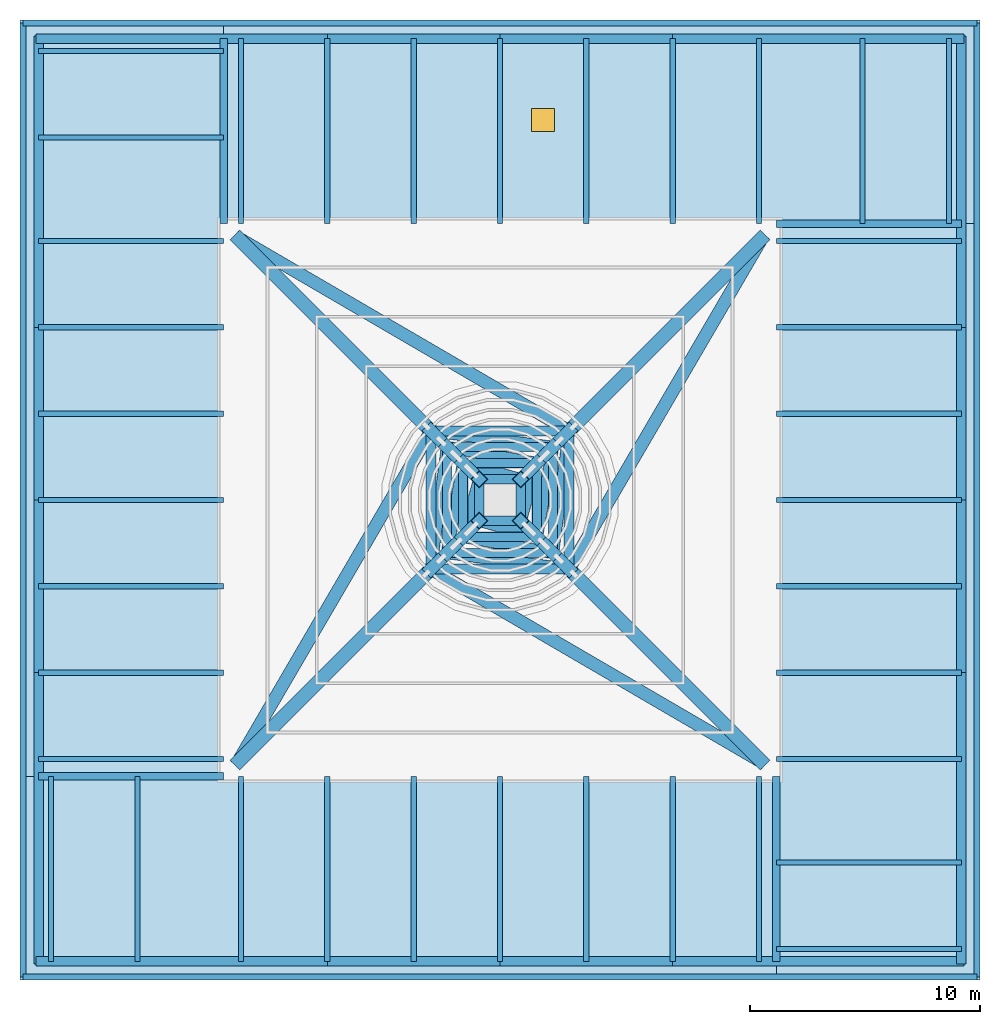
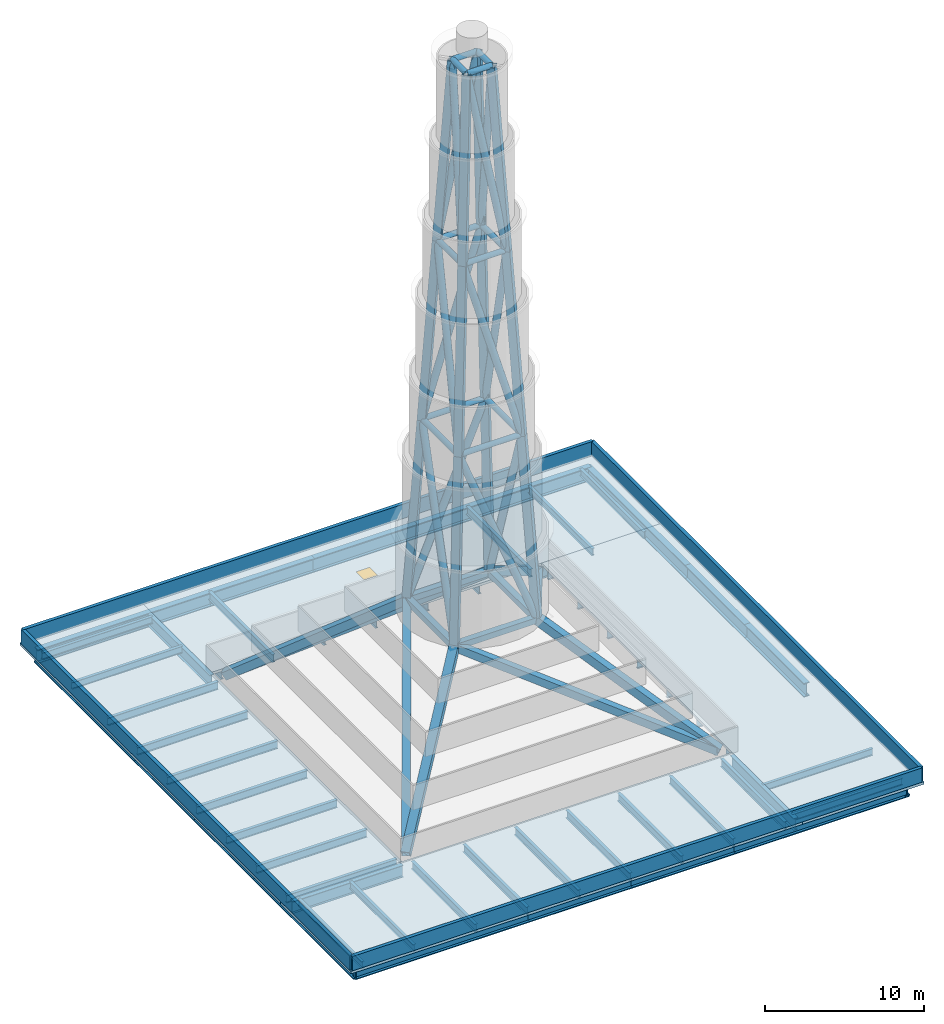
"""IFC4 building model written with IfcOpenShell, lengths in metres."""

from ifc_helpers import new_model, si_unit, direction, frame, frame_2d, origin, origin_2d, place, context, subcontext, project, spatial, polyline, rectangle, hollow_rectangle, hollow_circle, i_section, outline, extrude, material, layer, layer_set, material_profile, profile_set, type_object, element, fill, save


model = new_model("IFC4")

# Units and contexts
model_context = context("Model", 3, precision=1e-05, world=origin(), true_north=direction((0.0, 1.0)))
body_context = subcontext(model_context, "Body", "Model", "MODEL_VIEW")
ifc_project = project(units=[si_unit("LENGTHUNIT", "METRE"), si_unit("AREAUNIT", "SQUARE_METRE"), si_unit("VOLUMEUNIT", "CUBIC_METRE"), si_unit("PLANEANGLEUNIT", "RADIAN"), si_unit("MASSUNIT", "GRAM", prefix="KILO")], contexts=[model_context])

# Site, building, storey
site_placement = place(None, origin())
site = spatial("IfcSite", under=ifc_project, at=site_placement, CompositionType="ELEMENT")
building_placement = place(site_placement, origin())
building = spatial("IfcBuilding", under=site, at=building_placement, Name="Tarangal Relay Tower", CompositionType="ELEMENT")
storey_1_placement = place(building_placement, frame((0.0, 0.0, 346.89990234375)))
storey_1 = spatial("IfcBuildingStorey", under=building, at=storey_1_placement, Name="ROOF", CompositionType="ELEMENT", Elevation=346.89990234375)

# Beams
ifc_material_1 = material(Name="Steel ASTM A992", Category="steel")
ifc_material_profile_1 = material_profile(ifc_material_1, i_section(OverallWidth=0.209228515625, OverallDepth=0.533447265625, WebThickness=0.01025390625, FlangeThickness=0.015625, at=origin_2d()), Name="W21X62")
ifc_profile_set_1 = profile_set([ifc_material_profile_1], Name="Steel ASTM A992")
beam_type_1 = type_object("IfcBeamType", Name="Corner beam W21X62", PredefinedType="JOIST", material=ifc_profile_set_1)
for number, where, z_axis, x_axis, name in (
    (1, (15.75, 12.0, -0.466552734375), (0.0, 1.0, 0.0), (-1.0, 0.0, 0.0), "Corner beam CB12 N R"),
    (2, (19.5, 12.0, -0.466552734375), (0.0, 1.0, 0.0), (-1.0, 0.0, 0.0), "Corner beam CB12 N R"),
    (3, (12.0, -15.75, -0.466552734375), (1.0, 0.0, 0.0), (0.0, 1.0, 0.0), "Corner beam CB12 E R"),
    (4, (12.0, -19.5, -0.466552734375), (1.0, 0.0, 0.0), (0.0, 1.0, 0.0), "Corner beam CB12 E R"),
    (5, (-15.75, -12.0, -0.466552734375), (0.0, -1.0, 0.0), (1.0, 0.0, 0.0), "Corner beam CB12 S R"),
    (6, (-19.5, -12.0, -0.466552734375), (0.0, -1.0, 0.0), (1.0, 0.0, 0.0), "Corner beam CB12 S R"),
    (7, (-12.0, 15.75, -0.466552734375), (-1.0, 0.0, 0.0), (0.0, -1.0, 0.0), "Corner beam CB12 W R"),
    (8, (-12.0, 19.5, -0.466552734375), (-1.0, 0.0, 0.0), (0.0, -1.0, 0.0), "Corner beam CB12 W R"),
):
    element("IfcBeam", number, at=place(storey_1_placement, frame(where, z_axis=z_axis, x_axis=x_axis)), inside=storey_1, type_object=beam_type_1, Name=name, PredefinedType="JOIST", context=body_context, shape_type="SweptSolid", body=[
        extrude(i_section(OverallWidth=0.209228515625, OverallDepth=0.533447265625, WebThickness=0.01025390625, FlangeThickness=0.015625, at=origin_2d()), origin(), (0.0, 0.0, 1.0), 8.0400390625),
    ])
ifc_material_profile_2 = material_profile(ifc_material_1, i_section(OverallWidth=0.307373046875, OverallDepth=0.927001953125, WebThickness=0.019287109375, FlangeThickness=0.031982421875, at=origin_2d()), Name="W36X194")
ifc_profile_set_2 = profile_set([ifc_material_profile_2], Name="Steel ASTM A992")
beam_type_2 = type_object("IfcBeamType", Name="Corner girder W36X194", PredefinedType="BEAM", material=ifc_profile_set_2)
for number, where, z_axis, x_axis, name in (
    (9, (12.0, 12.0, -0.66357421875), (1.0, 0.0, 0.0), (0.0, 1.0, 0.0), "Corner girder CG6 N R"),
    (10, (12.0, -12.0, -0.66357421875), (0.0, -1.0, 0.0), (1.0, 0.0, 0.0), "Corner girder CG6 E R"),
    (11, (-12.0, -12.0, -0.66357421875), (-1.0, 0.0, 0.0), (0.0, -1.0, 0.0), "Corner girder CG6 S R"),
    (12, (-12.0, 12.0, -0.66357421875), (0.0, 1.0, 0.0), (-1.0, 0.0, 0.0), "Corner girder CG6 W R"),
):
    element("IfcBeam", number, at=place(storey_1_placement, frame(where, z_axis=z_axis, x_axis=x_axis)), inside=storey_1, type_object=beam_type_2, Name=name, PredefinedType="BEAM", context=body_context, shape_type="SweptSolid", body=[
        extrude(i_section(OverallWidth=0.307373046875, OverallDepth=0.927001953125, WebThickness=0.019287109375, FlangeThickness=0.031982421875, at=origin_2d()), origin(), (0.0, 0.0, 1.0), 8.0400390625),
    ])
ifc_material_profile_3 = material_profile(ifc_material_1, i_section(OverallWidth=0.41650390625, OverallDepth=1.0693359375, WebThickness=0.0390625, FlangeThickness=0.070068359375, at=origin_2d()), Name="W40X503")
ifc_profile_set_3 = profile_set([ifc_material_profile_3], Name="Steel ASTM A992")
beam_type_3 = type_object("IfcBeamType", Name="Edge girder W40X503", PredefinedType="SPANDREL", material=ifc_profile_set_3)
beam_1_placement = place(storey_1_placement, frame((-20.14990234375, 20.0400390625, -0.734619140625), z_axis=(1.0, 0.0, 0.0), x_axis=(0.0, 1.0, 0.0)))
element("IfcBeam", 13, at=beam_1_placement, inside=storey_1, type_object=beam_type_3, Name="Edge girder EG8 N R", PredefinedType="SPANDREL", context=body_context, shape_type="SweptSolid", body=[
    extrude(i_section(OverallWidth=0.41650390625, OverallDepth=1.0693359375, WebThickness=0.0390625, FlangeThickness=0.070068359375, at=origin_2d()), origin(), (0.0, 0.0, 1.0), 12.64990234375),
])
for number, where, z_axis, x_axis, name in (
    (14, (-7.5, 20.0400390625, -0.734619140625), (1.0, 0.0, 0.0), (0.0, 1.0, 0.0), "Edge girder EG8 N R"),
    (15, (0.0, 20.0400390625, -0.734619140625), (1.0, 0.0, 0.0), (0.0, 1.0, 0.0), "Edge girder EG8 N R"),
):
    element("IfcBeam", number, at=place(storey_1_placement, frame(where, z_axis=z_axis, x_axis=x_axis)), inside=storey_1, type_object=beam_type_3, Name=name, PredefinedType="SPANDREL", context=body_context, shape_type="SweptSolid", body=[
        extrude(i_section(OverallWidth=0.41650390625, OverallDepth=1.0693359375, WebThickness=0.0390625, FlangeThickness=0.070068359375, at=origin_2d()), origin(), (0.0, 0.0, 1.0), 7.5),
    ])
for number, where, z_axis, x_axis, name in (
    (16, (7.5, 20.0400390625, -0.734619140625), (1.0, 0.0, 0.0), (0.0, 1.0, 0.0), "Edge girder EG8 N R"),
    (17, (20.0400390625, 20.14990234375, -0.734619140625), (0.0, -1.0, 0.0), (1.0, 0.0, 0.0), "Edge girder EG8 E R"),
):
    element("IfcBeam", number, at=place(storey_1_placement, frame(where, z_axis=z_axis, x_axis=x_axis)), inside=storey_1, type_object=beam_type_3, Name=name, PredefinedType="SPANDREL", context=body_context, shape_type="SweptSolid", body=[
        extrude(i_section(OverallWidth=0.41650390625, OverallDepth=1.0693359375, WebThickness=0.0390625, FlangeThickness=0.070068359375, at=origin_2d()), origin(), (0.0, 0.0, 1.0), 12.64990234375),
    ])
for number, where, z_axis, x_axis, name in (
    (18, (20.0400390625, 7.5, -0.734619140625), (0.0, -1.0, 0.0), (1.0, 0.0, 0.0), "Edge girder EG8 E R"),
    (19, (20.0400390625, 0.0, -0.734619140625), (0.0, -1.0, 0.0), (1.0, 0.0, 0.0), "Edge girder EG8 E R"),
):
    element("IfcBeam", number, at=place(storey_1_placement, frame(where, z_axis=z_axis, x_axis=x_axis)), inside=storey_1, type_object=beam_type_3, Name=name, PredefinedType="SPANDREL", context=body_context, shape_type="SweptSolid", body=[
        extrude(i_section(OverallWidth=0.41650390625, OverallDepth=1.0693359375, WebThickness=0.0390625, FlangeThickness=0.070068359375, at=origin_2d()), origin(), (0.0, 0.0, 1.0), 7.5),
    ])
for number, where, z_axis, x_axis, name in (
    (20, (20.0400390625, -7.5, -0.734619140625), (0.0, -1.0, 0.0), (1.0, 0.0, 0.0), "Edge girder EG8 E R"),
    (21, (20.14990234375, -20.0400390625, -0.734619140625), (-1.0, 0.0, 0.0), (0.0, -1.0, 0.0), "Edge girder EG8 S R"),
):
    element("IfcBeam", number, at=place(storey_1_placement, frame(where, z_axis=z_axis, x_axis=x_axis)), inside=storey_1, type_object=beam_type_3, Name=name, PredefinedType="SPANDREL", context=body_context, shape_type="SweptSolid", body=[
        extrude(i_section(OverallWidth=0.41650390625, OverallDepth=1.0693359375, WebThickness=0.0390625, FlangeThickness=0.070068359375, at=origin_2d()), origin(), (0.0, 0.0, 1.0), 12.64990234375),
    ])
for number, where, z_axis, x_axis, name in (
    (22, (7.5, -20.0400390625, -0.734619140625), (-1.0, 0.0, 0.0), (0.0, -1.0, 0.0), "Edge girder EG8 S R"),
    (23, (0.0, -20.0400390625, -0.734619140625), (-1.0, 0.0, 0.0), (0.0, -1.0, 0.0), "Edge girder EG8 S R"),
):
    element("IfcBeam", number, at=place(storey_1_placement, frame(where, z_axis=z_axis, x_axis=x_axis)), inside=storey_1, type_object=beam_type_3, Name=name, PredefinedType="SPANDREL", context=body_context, shape_type="SweptSolid", body=[
        extrude(i_section(OverallWidth=0.41650390625, OverallDepth=1.0693359375, WebThickness=0.0390625, FlangeThickness=0.070068359375, at=origin_2d()), origin(), (0.0, 0.0, 1.0), 7.5),
    ])
for number, where, z_axis, x_axis, name in (
    (24, (-7.5, -20.0400390625, -0.734619140625), (-1.0, 0.0, 0.0), (0.0, -1.0, 0.0), "Edge girder EG8 S R"),
    (25, (-20.0400390625, -20.14990234375, -0.734619140625), (0.0, 1.0, 0.0), (-1.0, 0.0, 0.0), "Edge girder EG8 W R"),
):
    element("IfcBeam", number, at=place(storey_1_placement, frame(where, z_axis=z_axis, x_axis=x_axis)), inside=storey_1, type_object=beam_type_3, Name=name, PredefinedType="SPANDREL", context=body_context, shape_type="SweptSolid", body=[
        extrude(i_section(OverallWidth=0.41650390625, OverallDepth=1.0693359375, WebThickness=0.0390625, FlangeThickness=0.070068359375, at=origin_2d()), origin(), (0.0, 0.0, 1.0), 12.64990234375),
    ])
for number, where, z_axis, x_axis, name in (
    (26, (-20.0400390625, -7.5, -0.734619140625), (0.0, 1.0, 0.0), (-1.0, 0.0, 0.0), "Edge girder EG8 W R"),
    (27, (-20.0400390625, 0.0, -0.734619140625), (0.0, 1.0, 0.0), (-1.0, 0.0, 0.0), "Edge girder EG8 W R"),
):
    element("IfcBeam", number, at=place(storey_1_placement, frame(where, z_axis=z_axis, x_axis=x_axis)), inside=storey_1, type_object=beam_type_3, Name=name, PredefinedType="SPANDREL", context=body_context, shape_type="SweptSolid", body=[
        extrude(i_section(OverallWidth=0.41650390625, OverallDepth=1.0693359375, WebThickness=0.0390625, FlangeThickness=0.070068359375, at=origin_2d()), origin(), (0.0, 0.0, 1.0), 7.5),
    ])
beam_2_placement = place(storey_1_placement, frame((-20.0400390625, 7.5, -0.734619140625), z_axis=(0.0, 1.0, 0.0), x_axis=(-1.0, 0.0, 0.0)))
element("IfcBeam", 28, at=beam_2_placement, inside=storey_1, type_object=beam_type_3, Name="Edge girder EG8 W R", PredefinedType="SPANDREL", context=body_context, shape_type="SweptSolid", body=[
    extrude(i_section(OverallWidth=0.41650390625, OverallDepth=1.0693359375, WebThickness=0.0390625, FlangeThickness=0.070068359375, at=origin_2d()), origin(), (0.0, 0.0, 1.0), 12.64990234375),
])
ifc_material_profile_4 = material_profile(ifc_material_1, i_section(OverallWidth=0.228271484375, OverallDepth=0.607177734375, WebThickness=0.01123046875, FlangeThickness=0.017333984375, at=origin_2d()), Name="W24X76")
ifc_profile_set_4 = profile_set([ifc_material_profile_4], Name="Steel ASTM A992")
beam_type_4 = type_object("IfcBeamType", Name="Floor beam W24X76", PredefinedType="BEAM", material=ifc_profile_set_4)
for number, where, z_axis, x_axis, name in (
    (29, (-11.25, 12.0, -0.50341796875), (0.0, 1.0, 0.0), (-1.0, 0.0, 0.0), "Floor beam RB5 N R"),
    (30, (-7.5, 12.0, -0.50341796875), (0.0, 1.0, 0.0), (-1.0, 0.0, 0.0), "Floor beam RB5 N R"),
    (31, (-3.75, 12.0, -0.50341796875), (0.0, 1.0, 0.0), (-1.0, 0.0, 0.0), "Floor beam RB5 N R"),
    (32, (0.0, 12.0, -0.50341796875), (0.0, 1.0, 0.0), (-1.0, 0.0, 0.0), "Floor beam RB5 N R"),
    (33, (3.75, 12.0, -0.50341796875), (0.0, 1.0, 0.0), (-1.0, 0.0, 0.0), "Floor beam RB5 N R"),
    (34, (7.5, 12.0, -0.50341796875), (0.0, 1.0, 0.0), (-1.0, 0.0, 0.0), "Floor beam RB5 N R"),
    (35, (11.25, 12.0, -0.50341796875), (0.0, 1.0, 0.0), (-1.0, 0.0, 0.0), "Floor beam RB5 N R"),
    (36, (12.0, 11.25, -0.50341796875), (1.0, 0.0, 0.0), (0.0, 1.0, 0.0), "Floor beam RB5 E R"),
    (37, (12.0, 7.5, -0.50341796875), (1.0, 0.0, 0.0), (0.0, 1.0, 0.0), "Floor beam RB5 E R"),
    (38, (12.0, 3.75, -0.50341796875), (1.0, 0.0, 0.0), (0.0, 1.0, 0.0), "Floor beam RB5 E R"),
    (39, (12.0, 0.0, -0.50341796875), (1.0, 0.0, 0.0), (0.0, 1.0, 0.0), "Floor beam RB5 E R"),
    (40, (12.0, -3.75, -0.50341796875), (1.0, 0.0, 0.0), (0.0, 1.0, 0.0), "Floor beam RB5 E R"),
    (41, (12.0, -7.5, -0.50341796875), (1.0, 0.0, 0.0), (0.0, 1.0, 0.0), "Floor beam RB5 E R"),
    (42, (12.0, -11.25, -0.50341796875), (1.0, 0.0, 0.0), (0.0, 1.0, 0.0), "Floor beam RB5 E R"),
    (43, (11.25, -12.0, -0.50341796875), (0.0, -1.0, 0.0), (1.0, 0.0, 0.0), "Floor beam RB5 S R"),
    (44, (7.5, -12.0, -0.50341796875), (0.0, -1.0, 0.0), (1.0, 0.0, 0.0), "Floor beam RB5 S R"),
    (45, (3.75, -12.0, -0.50341796875), (0.0, -1.0, 0.0), (1.0, 0.0, 0.0), "Floor beam RB5 S R"),
    (46, (0.0, -12.0, -0.50341796875), (0.0, -1.0, 0.0), (1.0, 0.0, 0.0), "Floor beam RB5 S R"),
    (47, (-3.75, -12.0, -0.50341796875), (0.0, -1.0, 0.0), (1.0, 0.0, 0.0), "Floor beam RB5 S R"),
    (48, (-7.5, -12.0, -0.50341796875), (0.0, -1.0, 0.0), (1.0, 0.0, 0.0), "Floor beam RB5 S R"),
    (49, (-11.25, -12.0, -0.50341796875), (0.0, -1.0, 0.0), (1.0, 0.0, 0.0), "Floor beam RB5 S R"),
    (50, (-12.0, -11.25, -0.50341796875), (-1.0, 0.0, 0.0), (0.0, -1.0, 0.0), "Floor beam RB5 W R"),
    (51, (-12.0, -7.5, -0.50341796875), (-1.0, 0.0, 0.0), (0.0, -1.0, 0.0), "Floor beam RB5 W R"),
    (52, (-12.0, -3.75, -0.50341796875), (-1.0, 0.0, 0.0), (0.0, -1.0, 0.0), "Floor beam RB5 W R"),
    (53, (-12.0, 0.0, -0.50341796875), (-1.0, 0.0, 0.0), (0.0, -1.0, 0.0), "Floor beam RB5 W R"),
    (54, (-12.0, 3.75, -0.50341796875), (-1.0, 0.0, 0.0), (0.0, -1.0, 0.0), "Floor beam RB5 W R"),
    (55, (-12.0, 7.5, -0.50341796875), (-1.0, 0.0, 0.0), (0.0, -1.0, 0.0), "Floor beam RB5 W R"),
    (56, (-12.0, 11.25, -0.50341796875), (-1.0, 0.0, 0.0), (0.0, -1.0, 0.0), "Floor beam RB5 W R"),
):
    element("IfcBeam", number, at=place(storey_1_placement, frame(where, z_axis=z_axis, x_axis=x_axis)), inside=storey_1, type_object=beam_type_4, Name=name, PredefinedType="BEAM", context=body_context, shape_type="SweptSolid", body=[
        extrude(i_section(OverallWidth=0.228271484375, OverallDepth=0.607177734375, WebThickness=0.01123046875, FlangeThickness=0.017333984375, at=origin_2d()), origin(), (0.0, 0.0, 1.0), 8.0400390625),
    ])

# Members
ifc_material_2 = material(Name="Steel ASTM A572 Grade 50", Category="steel")
ifc_material_profile_5 = material_profile(ifc_material_2, hollow_rectangle(XDim=0.550048828125, YDim=0.550048828125, WallThickness=0.034912109375, at=origin_2d()), Name="BOX550X550X35")
ifc_profile_set_5 = profile_set([ifc_material_profile_5], Name="Steel ASTM A572 Grade 50")
member_type_1 = type_object("IfcMemberType", Name="Spire base brace BOX550X550X35", PredefinedType="BRACE", material=ifc_profile_set_5)
for number, where, z_axis, x_axis, name in (
    (57, (11.39990234375, 11.39990234375, 0.0), (-0.45427079055, -0.778753699012, 0.43264387795), (0.863779963214, -0.503869204407, 0.0), "Spire base brace SP5 level 1"),
    (58, (11.39990234375, -11.39990234375, 0.0), (-0.778753699012, 0.45427079055, 0.43264387795), (-0.503869204407, -0.863779963214, 0.0), "Spire base brace SP5 level 1"),
    (59, (-11.39990234375, -11.39990234375, 0.0), (0.45427079055, 0.778753699012, 0.43264387795), (-0.863779963214, 0.503869204407, 0.0), "Spire base brace SP5 level 1"),
    (60, (-11.39990234375, 11.39990234375, 0.0), (0.778753699012, -0.45427079055, 0.43264387795), (0.503869204407, 0.863779963214, 0.0), "Spire base brace SP5 level 1"),
):
    element("IfcMember", number, at=place(storey_1_placement, frame(where, z_axis=z_axis, x_axis=x_axis)), inside=storey_1, type_object=member_type_1, Name=name, PredefinedType="BRACE", context=body_context, shape_type="SweptSolid", body=[
        extrude(hollow_rectangle(XDim=0.550048828125, YDim=0.550048828125, WallThickness=0.034912109375, at=origin_2d()), origin(), (0.0, 0.0, 1.0), 18.490966796875),
    ])
ifc_material_profile_6 = material_profile(ifc_material_2, hollow_rectangle(XDim=0.60009765625, YDim=0.60009765625, WallThickness=0.050048828125, at=origin_2d()), Name="BOX600X600X50")
ifc_profile_set_6 = profile_set([ifc_material_profile_6], Name="Steel ASTM A572 Grade 50")
member_type_2 = type_object("IfcMemberType", Name="Spire base leg BOX600X600X50", PredefinedType="MEMBER", material=ifc_profile_set_6)
for number, where, z_axis, x_axis, name in (
    (61, (11.39990234375, 11.39990234375, 0.0), (-0.586507684634, -0.586507684634, 0.558585241239), (0.707106781187, -0.707106781187, 0.0), "Spire base leg SP4 1.1"),
    (62, (11.39990234375, -11.39990234375, 0.0), (-0.586507684634, 0.586507684634, 0.558585241239), (-0.707106781187, -0.707106781187, 0.0), "Spire base leg SP4 2.1"),
    (63, (-11.39990234375, -11.39990234375, 0.0), (0.586507684634, 0.586507684634, 0.558585241239), (-0.707106781187, 0.707106781187, 0.0), "Spire base leg SP4 3.1"),
    (64, (-11.39990234375, 11.39990234375, 0.0), (0.586507684634, -0.586507684634, 0.558585241239), (0.707106781187, 0.707106781187, 0.0), "Spire base leg SP4 4.1"),
):
    element("IfcMember", number, at=place(storey_1_placement, frame(where, z_axis=z_axis, x_axis=x_axis)), inside=storey_1, type_object=member_type_2, Name=name, PredefinedType="MEMBER", context=body_context, shape_type="SweptSolid", body=[
        extrude(hollow_rectangle(XDim=0.60009765625, YDim=0.60009765625, WallThickness=0.050048828125, at=origin_2d()), origin(), (0.0, 0.0, 1.0), 14.32177734375),
    ])
ifc_material_3 = material(Name="Steel ASTM A500 Grade C", Category="steel")
ifc_material_profile_7 = material_profile(ifc_material_3, hollow_circle(Radius=0.25390625, WallThickness=0.0126953125, at=origin_2d()), Name="HSS20.000X0.500")
ifc_profile_set_7 = profile_set([ifc_material_profile_7], Name="Steel ASTM A500 Grade C")
member_type_3 = type_object("IfcMemberType", Name="Spire brace HSS20.000X0.500", PredefinedType="BRACE", material=ifc_profile_set_7)
for number, where, z_axis, x_axis, name in (
    (65, (3.0, 3.0, 8.0), (-0.046706978331, -0.353666478054, 0.934204731564), (0.991391852235, -0.130928206751, 0.0), "Spire brace SP3 level 2"),
    (66, (3.0, -3.0, 8.0), (-0.353666478054, 0.046706978331, 0.934204731564), (-0.130928206751, -0.991391852235, 0.0), "Spire brace SP3 level 2"),
    (67, (-3.0, -3.0, 8.0), (0.046706978331, 0.353666478054, 0.934204731564), (-0.991391852235, 0.130928206751, 0.0), "Spire brace SP3 level 2"),
    (68, (-3.0, 3.0, 8.0), (0.353666478054, -0.046706978331, 0.934204731564), (0.130928206751, 0.991391852235, 0.0), "Spire brace SP3 level 2"),
):
    element("IfcMember", number, at=place(storey_1_placement, frame(where, z_axis=z_axis, x_axis=x_axis)), inside=storey_1, type_object=member_type_3, Name=name, PredefinedType="BRACE", context=body_context, shape_type="SweptSolid", body=[
        extrude(hollow_circle(Radius=0.25390625, WallThickness=0.0126953125, at=origin_2d()), origin(), (0.0, 0.0, 1.0), 14.986083984375),
    ])
for number, where, z_axis, x_axis, name in (
    (69, (2.300048828125, 2.300048828125, 22.0), (-0.048106771744, -0.268052207398, 0.962202552803), (0.984274503337, -0.176645696467, 0.0), "Spire brace SP3 level 3"),
    (70, (2.300048828125, -2.300048828125, 22.0), (-0.268052207398, 0.048106771744, 0.962202552803), (-0.176645696467, -0.984274503337, 0.0), "Spire brace SP3 level 3"),
    (71, (-2.300048828125, -2.300048828125, 22.0), (0.048106771744, 0.268052207398, 0.962202552803), (-0.984274503337, 0.176645696467, 0.0), "Spire brace SP3 level 3"),
    (72, (-2.300048828125, 2.300048828125, 22.0), (0.268052207398, -0.048106771744, 0.962202552803), (0.176645696467, 0.984274503337, 0.0), "Spire brace SP3 level 3"),
):
    element("IfcMember", number, at=place(storey_1_placement, frame(where, z_axis=z_axis, x_axis=x_axis)), inside=storey_1, type_object=member_type_3, Name=name, PredefinedType="BRACE", context=body_context, shape_type="SweptSolid", body=[
        extrude(hollow_circle(Radius=0.25390625, WallThickness=0.0126953125, at=origin_2d()), origin(), (0.0, 0.0, 1.0), 14.550048828125),
    ])
for number, where, z_axis, x_axis, name in (
    (73, (1.60009765625, 1.60009765625, 36.0), (-0.049175545368, -0.175577958356, 0.983236566792), (0.962944484166, -0.269699685604, 0.0), "Spire brace SP3 level 4"),
    (74, (1.60009765625, -1.60009765625, 36.0), (-0.175577958356, 0.049175545368, 0.983236566792), (-0.269699685604, -0.962944484166, 0.0), "Spire brace SP3 level 4"),
    (75, (-1.60009765625, -1.60009765625, 36.0), (0.049175545368, 0.175577958356, 0.983236566792), (-0.962944484166, 0.269699685604, 0.0), "Spire brace SP3 level 4"),
    (76, (-1.60009765625, 1.60009765625, 36.0), (0.175577958356, -0.049175545368, 0.983236566792), (0.269699685604, 0.962944484166, 0.0), "Spire brace SP3 level 4"),
):
    element("IfcMember", number, at=place(storey_1_placement, frame(where, z_axis=z_axis, x_axis=x_axis)), inside=storey_1, type_object=member_type_3, Name=name, PredefinedType="BRACE", context=body_context, shape_type="SweptSolid", body=[
        extrude(hollow_circle(Radius=0.25390625, WallThickness=0.0126953125, at=origin_2d()), origin(), (0.0, 0.0, 1.0), 14.23876953125),
    ])
ifc_material_profile_8 = material_profile(ifc_material_2, hollow_rectangle(XDim=0.449951171875, YDim=0.449951171875, WallThickness=0.034912109375, at=origin_2d()), Name="BOX450X450X35")
ifc_profile_set_8 = profile_set([ifc_material_profile_8], Name="Steel ASTM A572 Grade 50")
member_type_4 = type_object("IfcMemberType", Name="Spire knee ring BOX450X450X35", PredefinedType="STRUT", material=ifc_profile_set_8)
for number, where, z_axis, x_axis, name in (
    (77, (3.0, 3.0, 8.0), (0.0, -1.0, 0.0), (1.0, 0.0, 0.0), "Spire knee ring SP6 level 1"),
    (78, (3.0, -3.0, 8.0), (-1.0, 0.0, 0.0), (0.0, -1.0, 0.0), "Spire knee ring SP6 level 1"),
    (79, (-3.0, -3.0, 8.0), (0.0, 1.0, 0.0), (-1.0, 0.0, 0.0), "Spire knee ring SP6 level 1"),
    (80, (-3.0, 3.0, 8.0), (1.0, 0.0, 0.0), (0.0, 1.0, 0.0), "Spire knee ring SP6 level 1"),
):
    element("IfcMember", number, at=place(storey_1_placement, frame(where, z_axis=z_axis, x_axis=x_axis)), inside=storey_1, type_object=member_type_4, Name=name, PredefinedType="STRUT", context=body_context, shape_type="SweptSolid", body=[
        extrude(hollow_rectangle(XDim=0.449951171875, YDim=0.449951171875, WallThickness=0.034912109375, at=origin_2d()), origin(), (0.0, 0.0, 1.0), 6.0),
    ])
ifc_material_profile_9 = material_profile(ifc_material_2, hollow_rectangle(XDim=0.550048828125, YDim=0.550048828125, WallThickness=0.034912109375, at=origin_2d()), Name="BOX550X550X35")
ifc_profile_set_9 = profile_set([ifc_material_profile_9], Name="Steel ASTM A572 Grade 50")
member_type_5 = type_object("IfcMemberType", Name="Spire leg BOX550X550X35", PredefinedType="MEMBER", material=ifc_profile_set_9)
for number, where, z_axis, x_axis, name in (
    (81, (3.0, 3.0, 8.0), (-0.049872005076, -0.049872005076, 0.997509682269), (0.707106781187, -0.707106781187, 0.0), "Spire leg SP1 1.2"),
    (82, (3.0, -3.0, 8.0), (-0.049872005076, 0.049872005076, 0.997509682269), (-0.707106781187, -0.707106781187, 0.0), "Spire leg SP1 2.2"),
    (83, (-3.0, -3.0, 8.0), (0.049872005076, 0.049872005076, 0.997509682269), (-0.707106781187, 0.707106781187, 0.0), "Spire leg SP1 3.2"),
    (84, (-3.0, 3.0, 8.0), (0.049872005076, -0.049872005076, 0.997509682269), (0.707106781187, 0.707106781187, 0.0), "Spire leg SP1 4.2"),
    (85, (2.300048828125, 2.300048828125, 22.0), (-0.049872005076, -0.049872005076, 0.997509682269), (0.707106781187, -0.707106781187, 0.0), "Spire leg SP1 1.3"),
    (86, (2.300048828125, -2.300048828125, 22.0), (-0.049872005076, 0.049872005076, 0.997509682269), (-0.707106781187, -0.707106781187, 0.0), "Spire leg SP1 2.3"),
    (87, (-2.300048828125, -2.300048828125, 22.0), (0.049872005076, 0.049872005076, 0.997509682269), (-0.707106781187, 0.707106781187, 0.0), "Spire leg SP1 3.3"),
    (88, (-2.300048828125, 2.300048828125, 22.0), (0.049872005076, -0.049872005076, 0.997509682269), (0.707106781187, 0.707106781187, 0.0), "Spire leg SP1 4.3"),
    (89, (1.60009765625, 1.60009765625, 36.0), (-0.049889313688, -0.049889313688, 0.997507951226), (0.707106781187, -0.707106781187, 0.0), "Spire leg SP1 1.4"),
    (90, (1.60009765625, -1.60009765625, 36.0), (-0.049889313688, 0.049889313688, 0.997507951226), (-0.707106781187, -0.707106781187, 0.0), "Spire leg SP1 2.4"),
    (91, (-1.60009765625, -1.60009765625, 36.0), (0.049889313688, 0.049889313688, 0.997507951226), (-0.707106781187, 0.707106781187, 0.0), "Spire leg SP1 3.4"),
    (92, (-1.60009765625, 1.60009765625, 36.0), (0.049889313688, -0.049889313688, 0.997507951226), (0.707106781187, 0.707106781187, 0.0), "Spire leg SP1 4.4"),
):
    element("IfcMember", number, at=place(storey_1_placement, frame(where, z_axis=z_axis, x_axis=x_axis)), inside=storey_1, type_object=member_type_5, Name=name, PredefinedType="MEMBER", context=body_context, shape_type="SweptSolid", body=[
        extrude(hollow_rectangle(XDim=0.550048828125, YDim=0.550048828125, WallThickness=0.034912109375, at=origin_2d()), origin(), (0.0, 0.0, 1.0), 14.034912109375),
    ])
ifc_material_profile_10 = material_profile(ifc_material_3, hollow_circle(Radius=0.203125, WallThickness=0.0126953125, at=origin_2d()), Name="HSS16.000X0.500")
ifc_profile_set_10 = profile_set([ifc_material_profile_10], Name="Steel ASTM A500 Grade C")
member_type_6 = type_object("IfcMemberType", Name="Spire ring HSS16.000X0.500", PredefinedType="STRUT", material=ifc_profile_set_10)
for number, where, z_axis, x_axis, name in (
    (93, (2.300048828125, 2.300048828125, 22.0), (0.0, -1.0, 0.0), (1.0, 0.0, 0.0), "Spire ring SP2 level 2"),
    (94, (2.300048828125, -2.300048828125, 22.0), (-1.0, 0.0, 0.0), (0.0, -1.0, 0.0), "Spire ring SP2 level 2"),
    (95, (-2.300048828125, -2.300048828125, 22.0), (0.0, 1.0, 0.0), (-1.0, 0.0, 0.0), "Spire ring SP2 level 2"),
    (96, (-2.300048828125, 2.300048828125, 22.0), (1.0, 0.0, 0.0), (0.0, 1.0, 0.0), "Spire ring SP2 level 2"),
):
    element("IfcMember", number, at=place(storey_1_placement, frame(where, z_axis=z_axis, x_axis=x_axis)), inside=storey_1, type_object=member_type_6, Name=name, PredefinedType="STRUT", context=body_context, shape_type="SweptSolid", body=[
        extrude(hollow_circle(Radius=0.203125, WallThickness=0.0126953125, at=origin_2d()), origin(), (0.0, 0.0, 1.0), 4.60009765625),
    ])
for number, where, z_axis, x_axis, name in (
    (97, (1.60009765625, 1.60009765625, 36.0), (0.0, -1.0, 0.0), (1.0, 0.0, 0.0), "Spire ring SP2 level 3"),
    (98, (1.60009765625, -1.60009765625, 36.0), (-1.0, 0.0, 0.0), (0.0, -1.0, 0.0), "Spire ring SP2 level 3"),
    (99, (-1.60009765625, -1.60009765625, 36.0), (0.0, 1.0, 0.0), (-1.0, 0.0, 0.0), "Spire ring SP2 level 3"),
    (100, (-1.60009765625, 1.60009765625, 36.0), (1.0, 0.0, 0.0), (0.0, 1.0, 0.0), "Spire ring SP2 level 3"),
):
    element("IfcMember", number, at=place(storey_1_placement, frame(where, z_axis=z_axis, x_axis=x_axis)), inside=storey_1, type_object=member_type_6, Name=name, PredefinedType="STRUT", context=body_context, shape_type="SweptSolid", body=[
        extrude(hollow_circle(Radius=0.203125, WallThickness=0.0126953125, at=origin_2d()), origin(), (0.0, 0.0, 1.0), 3.2001953125),
    ])
for number, where, z_axis, x_axis, name in (
    (101, (0.89990234375, 0.89990234375, 50.0), (0.0, -1.0, 0.0), (1.0, 0.0, 0.0), "Spire ring SP2 level 4"),
    (102, (0.89990234375, -0.89990234375, 50.0), (-1.0, 0.0, 0.0), (0.0, -1.0, 0.0), "Spire ring SP2 level 4"),
    (103, (-0.89990234375, -0.89990234375, 50.0), (0.0, 1.0, 0.0), (-1.0, 0.0, 0.0), "Spire ring SP2 level 4"),
    (104, (-0.89990234375, 0.89990234375, 50.0), (1.0, 0.0, 0.0), (0.0, 1.0, 0.0), "Spire ring SP2 level 4"),
):
    element("IfcMember", number, at=place(storey_1_placement, frame(where, z_axis=z_axis, x_axis=x_axis)), inside=storey_1, type_object=member_type_6, Name=name, PredefinedType="STRUT", context=body_context, shape_type="SweptSolid", body=[
        extrude(hollow_circle(Radius=0.203125, WallThickness=0.0126953125, at=origin_2d()), origin(), (0.0, 0.0, 1.0), 1.7998046875),
    ])

# Slab, opening
ifc_material_4 = material(Name="Concrete fc' 35 MPa", Category="concrete")
ifc_layer_1 = layer(ifc_material_4, 0.199951171875)
ifc_layer_set_1 = layer_set([ifc_layer_1], Name="Roof slab 200")
slab_type = type_object("IfcSlabType", Name="Roof slab 200", PredefinedType="ROOF", material=ifc_layer_set_1)
slab_1_placement = place(storey_1_placement, frame((0.0, 0.0, -0.199951171875)))
slab_1 = element("IfcSlab", 105, at=slab_1_placement, inside=storey_1, type_object=slab_type, Name="Roof slab RS1 main roof north bay", PredefinedType="ROOF", context=body_context, shape_type="SweptSolid", body=[
    extrude(outline(polyline([(20.85009765625, 20.85009765625), (20.85009765625, 12.0), (-12.0, 12.0), (-12.0, 20.85009765625), (20.85009765625, 20.85009765625)])), origin(), (0.0, 0.0, 1.0), 0.199951171875),
])
opening_placement = place(slab_1_placement, frame((1.875, 16.5, 0.0)))
opening = element("IfcOpeningElement", 106, at=opening_placement, cuts=slab_1, Name="Opening RH1", PredefinedType="OPENING", context=body_context, shape_type="SweptSolid", body=[
    extrude(rectangle(XDim=1.0, YDim=1.0, at=origin_2d()), frame((0.0, 0.0, -0.010009765625)), (0.0, 0.0, 1.0), 0.219970703125),
])

# Storey
storey_2_placement = place(building_placement, frame((0.0, 0.0, 341.89990234375)))
storey_2 = spatial("IfcBuildingStorey", under=building, at=storey_2_placement, Name="L76", CompositionType="ELEMENT", Elevation=341.89990234375)

# Door
ifc_material_5 = material(Name="Steel roof hatch", Category="steel")
door_type = type_object("IfcDoorType", Name="Roof hatch 1000 x 1000", OperationType="SINGLE_SWING_LEFT", PredefinedType="DOOR", material=ifc_material_5)
door_placement = place(opening_placement, frame((0.0, 0.0, 0.14990234375)))
door = element("IfcDoor", 107, at=door_placement, inside=storey_2, type_object=door_type, Name="Roof hatch RH1", OperationType="SINGLE_SWING_LEFT", OverallHeight=1.0, OverallWidth=1.0, PredefinedType="TRAPDOOR", context=body_context, shape_type="SweptSolid", body=[
    extrude(rectangle(XDim=1.0, YDim=1.0, at=origin_2d()), origin(), (0.0, 0.0, 1.0), 0.050048828125),
])

fill(opening, door)

# Slabs
slab_2_placement = place(storey_1_placement, frame((0.0, 0.0, -0.199951171875)))
element("IfcSlab", 108, at=slab_2_placement, inside=storey_1, type_object=slab_type, Name="Roof slab RS1 main roof east bay", PredefinedType="ROOF", context=body_context, shape_type="SweptSolid", body=[
    extrude(outline(polyline([(20.85009765625, -20.85009765625), (12.0, -20.85009765625), (12.0, 12.0), (20.85009765625, 12.0), (20.85009765625, -20.85009765625)])), origin(), (0.0, 0.0, 1.0), 0.199951171875),
])
slab_3_placement = place(storey_1_placement, frame((0.0, 0.0, -0.199951171875)))
element("IfcSlab", 109, at=slab_3_placement, inside=storey_1, type_object=slab_type, Name="Roof slab RS1 main roof south bay", PredefinedType="ROOF", context=body_context, shape_type="SweptSolid", body=[
    extrude(outline(polyline([(-20.85009765625, -20.85009765625), (-20.85009765625, -12.0), (12.0, -12.0), (12.0, -20.85009765625), (-20.85009765625, -20.85009765625)])), origin(), (0.0, 0.0, 1.0), 0.199951171875),
])
slab_4_placement = place(storey_1_placement, frame((0.0, 0.0, -0.199951171875)))
element("IfcSlab", 110, at=slab_4_placement, inside=storey_1, type_object=slab_type, Name="Roof slab RS1 main roof west bay", PredefinedType="ROOF", context=body_context, shape_type="SweptSolid", body=[
    extrude(outline(polyline([(-20.85009765625, 20.85009765625), (-12.0, 20.85009765625), (-12.0, -12.0), (-20.85009765625, -12.0), (-20.85009765625, 20.85009765625)])), origin(), (0.0, 0.0, 1.0), 0.199951171875),
])

# Walls
ifc_material_6 = material(Name="Concrete parapet with metal coping", Category="concrete")
ifc_layer_2 = layer(ifc_material_6, 0.25)
ifc_layer_set_2 = layer_set([ifc_layer_2], Name="Parapet 250")
wall_type = type_object("IfcWallType", Name="Parapet 250", PredefinedType="PARAPET", material=ifc_layer_set_2)
for number, where, z_axis, x_axis, name in (
    (111, (-20.72509765625, 20.72509765625, 0.0), (0.0, 0.0, 1.0), (1.0, 0.0, 0.0), "Main roof parapet PP1"),
    (112, (20.72509765625, 20.72509765625, 0.0), (0.0, 0.0, 1.0), (0.0, -1.0, 0.0), "Main roof parapet PP1"),
    (113, (20.72509765625, -20.72509765625, 0.0), (0.0, 0.0, 1.0), (-1.0, 0.0, 0.0), "Main roof parapet PP1"),
    (114, (-20.72509765625, -20.72509765625, 0.0), (0.0, 0.0, 1.0), (0.0, 1.0, 0.0), "Main roof parapet PP1"),
):
    element("IfcWall", number, at=place(storey_1_placement, frame(where, z_axis=z_axis, x_axis=x_axis)), inside=storey_1, type_object=wall_type, Name=name, PredefinedType="PARAPET", context=body_context, shape_type="SweptSolid", body=[
        extrude(rectangle(XDim=41.4501953125, YDim=0.25, at=frame_2d((20.72509765625, 0.0))), origin(), (0.0, 0.0, 1.0), 1.10009765625),
    ])

save(model, "model.ifc")
